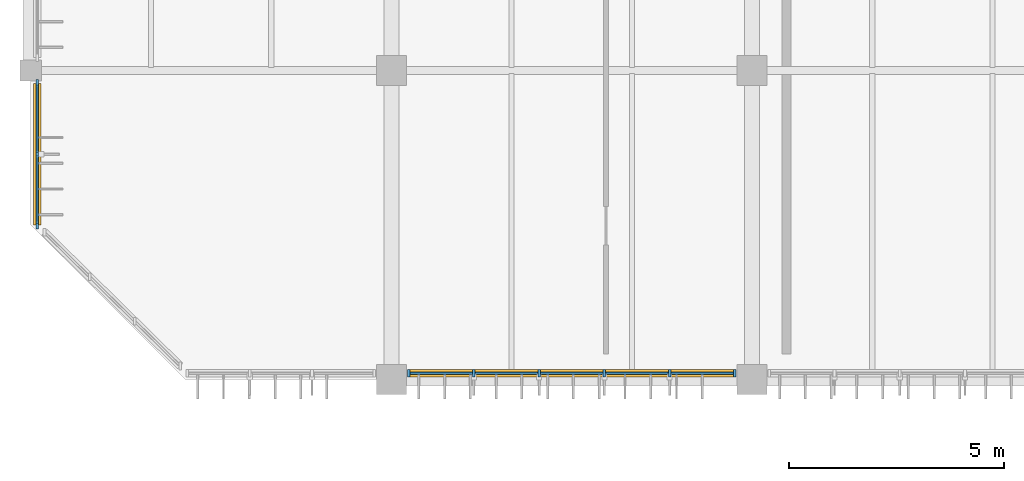
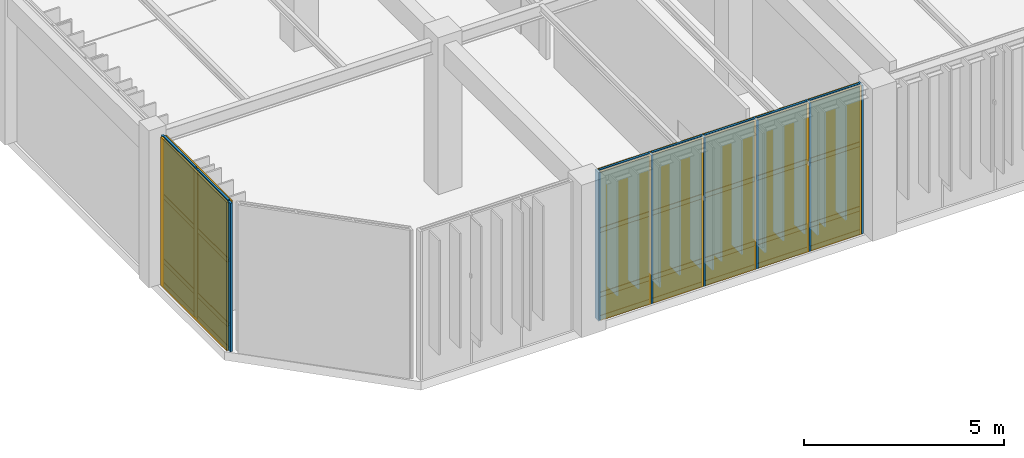
# One storey, part 62 of 122: 37 members, 21 plates, 2 curtain walls.
"""IFC4 building model written with IfcOpenShell, lengths in metres."""

from ifc_helpers import new_model, si_unit, direction, frame, frame_2d, origin, origin_2d, place, context, subcontext, project, spatial, rectangle, extrude, material, layer, layer_set, material_profile, profile_set, type_object, element, aggregate, save


model = new_model("IFC4")

# Units and contexts
model_context = context("Model", 3, precision=1e-05, world=origin(), true_north=direction((0.0, 1.0)))
body_context = subcontext(model_context, "Body", "Model", "MODEL_VIEW")
ifc_project = project(units=[si_unit("LENGTHUNIT", "METRE"), si_unit("AREAUNIT", "SQUARE_METRE"), si_unit("VOLUMEUNIT", "CUBIC_METRE"), si_unit("PLANEANGLEUNIT", "RADIAN"), si_unit("MASSUNIT", "GRAM", prefix="KILO")], contexts=[model_context])

# Member
ifc_material_1 = material(Name="Anodised Bronze Aluminium 6063-T6", Category="aluminium")
ifc_material_profile_1 = material_profile(ifc_material_1, rectangle(XDim=0.06005859375, YDim=0.179931640625, at=origin_2d()), Name="ALU MULLION 60x180")
ifc_profile_set_1 = profile_set([ifc_material_profile_1], Name="Anodised Bronze Aluminium 6063-T6")
member_type_1 = type_object("IfcMemberType", Name="Curtain-Wall Primary Mullion 60x180", PredefinedType="MULLION", material=ifc_profile_set_1)
site_placement = place(None, origin())
building_placement = place(site_placement, origin())
storey_placement = place(building_placement, origin())
member_1_placement = place(storey_placement, frame((11.199951171875, 37.550048828125, 0.0), z_axis=(0.0, 0.0, 1.0), x_axis=(1.0, 0.0, 0.0)))
member_1 = element("IfcMember", 1, at=member_1_placement, type_object=member_type_1, Name="Mullion CWM-01 CW-V6-S-L00-B2-M01", PredefinedType="MULLION", context=body_context, shape_type="SweptSolid", body=[
    extrude(rectangle(XDim=0.06005859375, YDim=0.179931640625, at=origin_2d()), origin(), (0.0, 0.0, 1.0), 4.5400390625),
])

member_2_placement = place(storey_placement, frame((12.719970703125, 37.550048828125, 0.0), z_axis=(0.0, 0.0, 1.0), x_axis=(1.0, 0.0, 0.0)))
member_2 = element("IfcMember", 2, at=member_2_placement, type_object=member_type_1, Name="Mullion CWM-01 CW-V6-S-L00-B2-M02", PredefinedType="MULLION", context=body_context, shape_type="SweptSolid", body=[
    extrude(rectangle(XDim=0.06005859375, YDim=0.179931640625, at=origin_2d()), origin(), (0.0, 0.0, 1.0), 4.5400390625),
])

member_3_placement = place(storey_placement, frame((14.239990234375, 37.550048828125, 0.0), z_axis=(0.0, 0.0, 1.0), x_axis=(1.0, 0.0, 0.0)))
member_3 = element("IfcMember", 3, at=member_3_placement, type_object=member_type_1, Name="Mullion CWM-01 CW-V6-S-L00-B2-M03", PredefinedType="MULLION", context=body_context, shape_type="SweptSolid", body=[
    extrude(rectangle(XDim=0.06005859375, YDim=0.179931640625, at=origin_2d()), origin(), (0.0, 0.0, 1.0), 4.5400390625),
])

member_4_placement = place(storey_placement, frame((15.760009765625, 37.550048828125, 0.0), z_axis=(0.0, 0.0, 1.0), x_axis=(1.0, 0.0, 0.0)))
member_4 = element("IfcMember", 4, at=member_4_placement, type_object=member_type_1, Name="Mullion CWM-01 CW-V6-S-L00-B2-M04", PredefinedType="MULLION", context=body_context, shape_type="SweptSolid", body=[
    extrude(rectangle(XDim=0.06005859375, YDim=0.179931640625, at=origin_2d()), origin(), (0.0, 0.0, 1.0), 4.5400390625),
])

member_5_placement = place(storey_placement, frame((17.280029296875, 37.550048828125, 0.0), z_axis=(0.0, 0.0, 1.0), x_axis=(1.0, 0.0, 0.0)))
member_5 = element("IfcMember", 5, at=member_5_placement, type_object=member_type_1, Name="Mullion CWM-01 CW-V6-S-L00-B2-M05", PredefinedType="MULLION", context=body_context, shape_type="SweptSolid", body=[
    extrude(rectangle(XDim=0.06005859375, YDim=0.179931640625, at=origin_2d()), origin(), (0.0, 0.0, 1.0), 4.5400390625),
])

member_6_placement = place(storey_placement, frame((18.800048828125, 37.550048828125, 0.0), z_axis=(0.0, 0.0, 1.0), x_axis=(1.0, 0.0, 0.0)))
member_6 = element("IfcMember", 6, at=member_6_placement, type_object=member_type_1, Name="Mullion CWM-01 CW-V6-S-L00-B2-M06", PredefinedType="MULLION", context=body_context, shape_type="SweptSolid", body=[
    extrude(rectangle(XDim=0.06005859375, YDim=0.179931640625, at=origin_2d()), origin(), (0.0, 0.0, 1.0), 4.5400390625),
])

member_7_placement = place(storey_placement, frame((2.550048828125, 41.0, 0.0), z_axis=(0.0, 0.0, 1.0), x_axis=(1.0, 0.0, 0.0)))
member_7 = element("IfcMember", 7, at=member_7_placement, type_object=member_type_1, Name="Mullion CWM-01 CW-V6-W1-L00-B1-M01", PredefinedType="MULLION", context=body_context, shape_type="SweptSolid", body=[
    extrude(rectangle(XDim=0.06005859375, YDim=0.179931640625, at=origin_2d()), origin(), (0.0, 0.0, 1.0), 4.5400390625),
])

member_8_placement = place(storey_placement, frame((2.550048828125, 42.64990234375, 0.0), z_axis=(0.0, 0.0, 1.0), x_axis=(1.0, 0.0, 0.0)))
member_8 = element("IfcMember", 8, at=member_8_placement, type_object=member_type_1, Name="Mullion CWM-01 CW-V6-W1-L00-B1-M02", PredefinedType="MULLION", context=body_context, shape_type="SweptSolid", body=[
    extrude(rectangle(XDim=0.06005859375, YDim=0.179931640625, at=origin_2d()), origin(), (0.0, 0.0, 1.0), 4.5400390625),
])

member_9_placement = place(storey_placement, frame((2.550048828125, 44.300048828125, 0.0), z_axis=(0.0, 0.0, 1.0), x_axis=(1.0, 0.0, 0.0)))
member_9 = element("IfcMember", 9, at=member_9_placement, type_object=member_type_1, Name="Mullion CWM-01 CW-V6-W1-L00-B1-M03", PredefinedType="MULLION", context=body_context, shape_type="SweptSolid", body=[
    extrude(rectangle(XDim=0.06005859375, YDim=0.179931640625, at=origin_2d()), origin(), (0.0, 0.0, 1.0), 4.5400390625),
])

ifc_material_profile_2 = material_profile(ifc_material_1, rectangle(XDim=0.06005859375, YDim=0.139892578125, at=origin_2d()), Name="ALU TRANSOM 60x140")
ifc_profile_set_2 = profile_set([ifc_material_profile_2], Name="Anodised Bronze Aluminium 6063-T6")
member_type_2 = type_object("IfcMemberType", Name="Curtain-Wall Transom 60x140", PredefinedType="USERDEFINED", material=ifc_profile_set_2)
member_10_placement = place(storey_placement, frame((11.235107421875, 37.550048828125, 0.0400390625), z_axis=(1.0, 0.0, 0.0), x_axis=(0.0, 1.0, 0.0)))
member_10 = element("IfcMember", 10, at=member_10_placement, type_object=member_type_2, Name="Transom CWT-01 CW-V6-S-L00-B2-T01.1", ObjectType="TRANSOM", PredefinedType="USERDEFINED", context=body_context, shape_type="SweptSolid", body=[
    extrude(rectangle(XDim=0.06005859375, YDim=0.139892578125, at=origin_2d()), origin(), (0.0, 0.0, 1.0), 1.449951171875),
])

member_11_placement = place(storey_placement, frame((11.235107421875, 37.550048828125, 0.75), z_axis=(1.0, 0.0, 0.0), x_axis=(0.0, 1.0, 0.0)))
member_11 = element("IfcMember", 11, at=member_11_placement, type_object=member_type_2, Name="Transom CWT-01 CW-V6-S-L00-B2-T01.2", ObjectType="TRANSOM", PredefinedType="USERDEFINED", context=body_context, shape_type="SweptSolid", body=[
    extrude(rectangle(XDim=0.06005859375, YDim=0.139892578125, at=origin_2d()), origin(), (0.0, 0.0, 1.0), 1.449951171875),
])

member_12_placement = place(storey_placement, frame((11.235107421875, 37.550048828125, 2.720703125), z_axis=(1.0, 0.0, 0.0), x_axis=(0.0, 1.0, 0.0)))
member_12 = element("IfcMember", 12, at=member_12_placement, type_object=member_type_2, Name="Transom CWT-01 CW-V6-S-L00-B2-T01.3", ObjectType="TRANSOM", PredefinedType="USERDEFINED", context=body_context, shape_type="SweptSolid", body=[
    extrude(rectangle(XDim=0.06005859375, YDim=0.139892578125, at=origin_2d()), origin(), (0.0, 0.0, 1.0), 1.449951171875),
])

member_13_placement = place(storey_placement, frame((11.235107421875, 37.550048828125, 4.5), z_axis=(1.0, 0.0, 0.0), x_axis=(0.0, 1.0, 0.0)))
member_13 = element("IfcMember", 13, at=member_13_placement, type_object=member_type_2, Name="Transom CWT-01 CW-V6-S-L00-B2-T01.4", ObjectType="TRANSOM", PredefinedType="USERDEFINED", context=body_context, shape_type="SweptSolid", body=[
    extrude(rectangle(XDim=0.06005859375, YDim=0.139892578125, at=origin_2d()), origin(), (0.0, 0.0, 1.0), 1.449951171875),
])

member_14_placement = place(storey_placement, frame((12.7548828125, 37.550048828125, 0.0400390625), z_axis=(1.0, 0.0, 0.0), x_axis=(0.0, 1.0, 0.0)))
member_14 = element("IfcMember", 14, at=member_14_placement, type_object=member_type_2, Name="Transom CWT-01 CW-V6-S-L00-B2-T02.1", ObjectType="TRANSOM", PredefinedType="USERDEFINED", context=body_context, shape_type="SweptSolid", body=[
    extrude(rectangle(XDim=0.06005859375, YDim=0.139892578125, at=origin_2d()), origin(), (0.0, 0.0, 1.0), 1.4501953125),
])

member_15_placement = place(storey_placement, frame((12.7548828125, 37.550048828125, 0.75), z_axis=(1.0, 0.0, 0.0), x_axis=(0.0, 1.0, 0.0)))
member_15 = element("IfcMember", 15, at=member_15_placement, type_object=member_type_2, Name="Transom CWT-01 CW-V6-S-L00-B2-T02.2", ObjectType="TRANSOM", PredefinedType="USERDEFINED", context=body_context, shape_type="SweptSolid", body=[
    extrude(rectangle(XDim=0.06005859375, YDim=0.139892578125, at=origin_2d()), origin(), (0.0, 0.0, 1.0), 1.4501953125),
])

member_16_placement = place(storey_placement, frame((12.7548828125, 37.550048828125, 2.720703125), z_axis=(1.0, 0.0, 0.0), x_axis=(0.0, 1.0, 0.0)))
member_16 = element("IfcMember", 16, at=member_16_placement, type_object=member_type_2, Name="Transom CWT-01 CW-V6-S-L00-B2-T02.3", ObjectType="TRANSOM", PredefinedType="USERDEFINED", context=body_context, shape_type="SweptSolid", body=[
    extrude(rectangle(XDim=0.06005859375, YDim=0.139892578125, at=origin_2d()), origin(), (0.0, 0.0, 1.0), 1.4501953125),
])

member_17_placement = place(storey_placement, frame((12.7548828125, 37.550048828125, 4.5), z_axis=(1.0, 0.0, 0.0), x_axis=(0.0, 1.0, 0.0)))
member_17 = element("IfcMember", 17, at=member_17_placement, type_object=member_type_2, Name="Transom CWT-01 CW-V6-S-L00-B2-T02.4", ObjectType="TRANSOM", PredefinedType="USERDEFINED", context=body_context, shape_type="SweptSolid", body=[
    extrude(rectangle(XDim=0.06005859375, YDim=0.139892578125, at=origin_2d()), origin(), (0.0, 0.0, 1.0), 1.4501953125),
])

member_18_placement = place(storey_placement, frame((14.27490234375, 37.550048828125, 0.0400390625), z_axis=(1.0, 0.0, 0.0), x_axis=(0.0, 1.0, 0.0)))
member_18 = element("IfcMember", 18, at=member_18_placement, type_object=member_type_2, Name="Transom CWT-01 CW-V6-S-L00-B2-T03.1", ObjectType="TRANSOM", PredefinedType="USERDEFINED", context=body_context, shape_type="SweptSolid", body=[
    extrude(rectangle(XDim=0.06005859375, YDim=0.139892578125, at=origin_2d()), origin(), (0.0, 0.0, 1.0), 1.4501953125),
])

member_19_placement = place(storey_placement, frame((14.27490234375, 37.550048828125, 0.75), z_axis=(1.0, 0.0, 0.0), x_axis=(0.0, 1.0, 0.0)))
member_19 = element("IfcMember", 19, at=member_19_placement, type_object=member_type_2, Name="Transom CWT-01 CW-V6-S-L00-B2-T03.2", ObjectType="TRANSOM", PredefinedType="USERDEFINED", context=body_context, shape_type="SweptSolid", body=[
    extrude(rectangle(XDim=0.06005859375, YDim=0.139892578125, at=origin_2d()), origin(), (0.0, 0.0, 1.0), 1.4501953125),
])

member_20_placement = place(storey_placement, frame((14.27490234375, 37.550048828125, 2.720703125), z_axis=(1.0, 0.0, 0.0), x_axis=(0.0, 1.0, 0.0)))
member_20 = element("IfcMember", 20, at=member_20_placement, type_object=member_type_2, Name="Transom CWT-01 CW-V6-S-L00-B2-T03.3", ObjectType="TRANSOM", PredefinedType="USERDEFINED", context=body_context, shape_type="SweptSolid", body=[
    extrude(rectangle(XDim=0.06005859375, YDim=0.139892578125, at=origin_2d()), origin(), (0.0, 0.0, 1.0), 1.4501953125),
])

member_21_placement = place(storey_placement, frame((14.27490234375, 37.550048828125, 4.5), z_axis=(1.0, 0.0, 0.0), x_axis=(0.0, 1.0, 0.0)))
member_21 = element("IfcMember", 21, at=member_21_placement, type_object=member_type_2, Name="Transom CWT-01 CW-V6-S-L00-B2-T03.4", ObjectType="TRANSOM", PredefinedType="USERDEFINED", context=body_context, shape_type="SweptSolid", body=[
    extrude(rectangle(XDim=0.06005859375, YDim=0.139892578125, at=origin_2d()), origin(), (0.0, 0.0, 1.0), 1.4501953125),
])

member_22_placement = place(storey_placement, frame((15.794921875, 37.550048828125, 0.0400390625), z_axis=(1.0, 0.0, 0.0), x_axis=(0.0, 1.0, 0.0)))
member_22 = element("IfcMember", 22, at=member_22_placement, type_object=member_type_2, Name="Transom CWT-01 CW-V6-S-L00-B2-T04.1", ObjectType="TRANSOM", PredefinedType="USERDEFINED", context=body_context, shape_type="SweptSolid", body=[
    extrude(rectangle(XDim=0.06005859375, YDim=0.139892578125, at=origin_2d()), origin(), (0.0, 0.0, 1.0), 1.4501953125),
])

member_23_placement = place(storey_placement, frame((15.794921875, 37.550048828125, 0.75), z_axis=(1.0, 0.0, 0.0), x_axis=(0.0, 1.0, 0.0)))
member_23 = element("IfcMember", 23, at=member_23_placement, type_object=member_type_2, Name="Transom CWT-01 CW-V6-S-L00-B2-T04.2", ObjectType="TRANSOM", PredefinedType="USERDEFINED", context=body_context, shape_type="SweptSolid", body=[
    extrude(rectangle(XDim=0.06005859375, YDim=0.139892578125, at=origin_2d()), origin(), (0.0, 0.0, 1.0), 1.4501953125),
])

member_24_placement = place(storey_placement, frame((15.794921875, 37.550048828125, 2.720703125), z_axis=(1.0, 0.0, 0.0), x_axis=(0.0, 1.0, 0.0)))
member_24 = element("IfcMember", 24, at=member_24_placement, type_object=member_type_2, Name="Transom CWT-01 CW-V6-S-L00-B2-T04.3", ObjectType="TRANSOM", PredefinedType="USERDEFINED", context=body_context, shape_type="SweptSolid", body=[
    extrude(rectangle(XDim=0.06005859375, YDim=0.139892578125, at=origin_2d()), origin(), (0.0, 0.0, 1.0), 1.4501953125),
])

member_25_placement = place(storey_placement, frame((15.794921875, 37.550048828125, 4.5), z_axis=(1.0, 0.0, 0.0), x_axis=(0.0, 1.0, 0.0)))
member_25 = element("IfcMember", 25, at=member_25_placement, type_object=member_type_2, Name="Transom CWT-01 CW-V6-S-L00-B2-T04.4", ObjectType="TRANSOM", PredefinedType="USERDEFINED", context=body_context, shape_type="SweptSolid", body=[
    extrude(rectangle(XDim=0.06005859375, YDim=0.139892578125, at=origin_2d()), origin(), (0.0, 0.0, 1.0), 1.4501953125),
])

member_26_placement = place(storey_placement, frame((17.31494140625, 37.550048828125, 0.0400390625), z_axis=(1.0, 0.0, 0.0), x_axis=(0.0, 1.0, 0.0)))
member_26 = element("IfcMember", 26, at=member_26_placement, type_object=member_type_2, Name="Transom CWT-01 CW-V6-S-L00-B2-T05.1", ObjectType="TRANSOM", PredefinedType="USERDEFINED", context=body_context, shape_type="SweptSolid", body=[
    extrude(rectangle(XDim=0.06005859375, YDim=0.139892578125, at=origin_2d()), origin(), (0.0, 0.0, 1.0), 1.449951171875),
])

member_27_placement = place(storey_placement, frame((17.31494140625, 37.550048828125, 0.75), z_axis=(1.0, 0.0, 0.0), x_axis=(0.0, 1.0, 0.0)))
member_27 = element("IfcMember", 27, at=member_27_placement, type_object=member_type_2, Name="Transom CWT-01 CW-V6-S-L00-B2-T05.2", ObjectType="TRANSOM", PredefinedType="USERDEFINED", context=body_context, shape_type="SweptSolid", body=[
    extrude(rectangle(XDim=0.06005859375, YDim=0.139892578125, at=origin_2d()), origin(), (0.0, 0.0, 1.0), 1.449951171875),
])

member_28_placement = place(storey_placement, frame((17.31494140625, 37.550048828125, 2.720703125), z_axis=(1.0, 0.0, 0.0), x_axis=(0.0, 1.0, 0.0)))
member_28 = element("IfcMember", 28, at=member_28_placement, type_object=member_type_2, Name="Transom CWT-01 CW-V6-S-L00-B2-T05.3", ObjectType="TRANSOM", PredefinedType="USERDEFINED", context=body_context, shape_type="SweptSolid", body=[
    extrude(rectangle(XDim=0.06005859375, YDim=0.139892578125, at=origin_2d()), origin(), (0.0, 0.0, 1.0), 1.449951171875),
])

member_29_placement = place(storey_placement, frame((17.31494140625, 37.550048828125, 4.5), z_axis=(1.0, 0.0, 0.0), x_axis=(0.0, 1.0, 0.0)))
member_29 = element("IfcMember", 29, at=member_29_placement, type_object=member_type_2, Name="Transom CWT-01 CW-V6-S-L00-B2-T05.4", ObjectType="TRANSOM", PredefinedType="USERDEFINED", context=body_context, shape_type="SweptSolid", body=[
    extrude(rectangle(XDim=0.06005859375, YDim=0.139892578125, at=origin_2d()), origin(), (0.0, 0.0, 1.0), 1.449951171875),
])

member_30_placement = place(storey_placement, frame((2.550048828125, 41.034912109375, 0.0400390625), z_axis=(0.0, 1.0, 0.0), x_axis=(-1.0, 0.0, 0.0)))
member_30 = element("IfcMember", 30, at=member_30_placement, type_object=member_type_2, Name="Transom CWT-01 CW-V6-W1-L00-B1-T01.1", ObjectType="TRANSOM", PredefinedType="USERDEFINED", context=body_context, shape_type="SweptSolid", body=[
    extrude(rectangle(XDim=0.06005859375, YDim=0.139892578125, at=origin_2d()), origin(), (0.0, 0.0, 1.0), 1.580078125),
])

member_31_placement = place(storey_placement, frame((2.550048828125, 41.034912109375, 0.75), z_axis=(0.0, 1.0, 0.0), x_axis=(-1.0, 0.0, 0.0)))
member_31 = element("IfcMember", 31, at=member_31_placement, type_object=member_type_2, Name="Transom CWT-01 CW-V6-W1-L00-B1-T01.2", ObjectType="TRANSOM", PredefinedType="USERDEFINED", context=body_context, shape_type="SweptSolid", body=[
    extrude(rectangle(XDim=0.06005859375, YDim=0.139892578125, at=origin_2d()), origin(), (0.0, 0.0, 1.0), 1.580078125),
])

member_32_placement = place(storey_placement, frame((2.550048828125, 41.034912109375, 2.720703125), z_axis=(0.0, 1.0, 0.0), x_axis=(-1.0, 0.0, 0.0)))
member_32 = element("IfcMember", 32, at=member_32_placement, type_object=member_type_2, Name="Transom CWT-01 CW-V6-W1-L00-B1-T01.3", ObjectType="TRANSOM", PredefinedType="USERDEFINED", context=body_context, shape_type="SweptSolid", body=[
    extrude(rectangle(XDim=0.06005859375, YDim=0.139892578125, at=origin_2d()), origin(), (0.0, 0.0, 1.0), 1.580078125),
])

member_33_placement = place(storey_placement, frame((2.550048828125, 41.034912109375, 4.5), z_axis=(0.0, 1.0, 0.0), x_axis=(-1.0, 0.0, 0.0)))
member_33 = element("IfcMember", 33, at=member_33_placement, type_object=member_type_2, Name="Transom CWT-01 CW-V6-W1-L00-B1-T01.4", ObjectType="TRANSOM", PredefinedType="USERDEFINED", context=body_context, shape_type="SweptSolid", body=[
    extrude(rectangle(XDim=0.06005859375, YDim=0.139892578125, at=origin_2d()), origin(), (0.0, 0.0, 1.0), 1.580078125),
])

member_34_placement = place(storey_placement, frame((2.550048828125, 42.68505859375, 0.0400390625), z_axis=(0.0, 1.0, 0.0), x_axis=(-1.0, 0.0, 0.0)))
member_34 = element("IfcMember", 34, at=member_34_placement, type_object=member_type_2, Name="Transom CWT-01 CW-V6-W1-L00-B1-T02.1", ObjectType="TRANSOM", PredefinedType="USERDEFINED", context=body_context, shape_type="SweptSolid", body=[
    extrude(rectangle(XDim=0.06005859375, YDim=0.139892578125, at=origin_2d()), origin(), (0.0, 0.0, 1.0), 1.579833984375),
])

member_35_placement = place(storey_placement, frame((2.550048828125, 42.68505859375, 0.75), z_axis=(0.0, 1.0, 0.0), x_axis=(-1.0, 0.0, 0.0)))
member_35 = element("IfcMember", 35, at=member_35_placement, type_object=member_type_2, Name="Transom CWT-01 CW-V6-W1-L00-B1-T02.2", ObjectType="TRANSOM", PredefinedType="USERDEFINED", context=body_context, shape_type="SweptSolid", body=[
    extrude(rectangle(XDim=0.06005859375, YDim=0.139892578125, at=origin_2d()), origin(), (0.0, 0.0, 1.0), 1.579833984375),
])

member_36_placement = place(storey_placement, frame((2.550048828125, 42.68505859375, 2.720703125), z_axis=(0.0, 1.0, 0.0), x_axis=(-1.0, 0.0, 0.0)))
member_36 = element("IfcMember", 36, at=member_36_placement, type_object=member_type_2, Name="Transom CWT-01 CW-V6-W1-L00-B1-T02.3", ObjectType="TRANSOM", PredefinedType="USERDEFINED", context=body_context, shape_type="SweptSolid", body=[
    extrude(rectangle(XDim=0.06005859375, YDim=0.139892578125, at=origin_2d()), origin(), (0.0, 0.0, 1.0), 1.579833984375),
])

member_37_placement = place(storey_placement, frame((2.550048828125, 42.68505859375, 4.5), z_axis=(0.0, 1.0, 0.0), x_axis=(-1.0, 0.0, 0.0)))
member_37 = element("IfcMember", 37, at=member_37_placement, type_object=member_type_2, Name="Transom CWT-01 CW-V6-W1-L00-B1-T02.4", ObjectType="TRANSOM", PredefinedType="USERDEFINED", context=body_context, shape_type="SweptSolid", body=[
    extrude(rectangle(XDim=0.06005859375, YDim=0.139892578125, at=origin_2d()), origin(), (0.0, 0.0, 1.0), 1.579833984375),
])

# Plate
ifc_material_2 = material(Name="Insulated Bronze Aluminium Spandrel Panel", Category="aluminium")
ifc_layer_1 = layer(ifc_material_2, 0.050048828125, Name="Insulated Bronze Aluminium Spandrel Panel")
ifc_layer_set_1 = layer_set([ifc_layer_1], Name="Insulated Bronze Aluminium Spandrel Panel")
plate_type_1 = type_object("IfcPlateType", Name="Insulated Anodised Aluminium Spandrel Cassette 50", PredefinedType="CURTAIN_PANEL", material=ifc_layer_set_1)
plate_1_placement = place(storey_placement, frame((11.9599609375, 37.550048828125, 0.070068359375), z_axis=(0.0, 0.0, 1.0), x_axis=(1.0, 0.0, 0.0)))
plate_1 = element("IfcPlate", 38, at=plate_1_placement, type_object=plate_type_1, Name="Curtain Panel CWP-03 CW-V6-S-L00-B2-P01.1", PredefinedType="CURTAIN_PANEL", context=body_context, shape_type="SweptSolid", body=[
    extrude(rectangle(XDim=1.449951171875, YDim=0.050048828125, at=origin_2d()), origin(), (0.0, 0.0, 1.0), 0.64990234375),
])

plate_2_placement = place(storey_placement, frame((13.47998046875, 37.550048828125, 0.070068359375), z_axis=(0.0, 0.0, 1.0), x_axis=(1.0, 0.0, 0.0)))
plate_2 = element("IfcPlate", 39, at=plate_2_placement, type_object=plate_type_1, Name="Curtain Panel CWP-03 CW-V6-S-L00-B2-P02.1", PredefinedType="CURTAIN_PANEL", context=body_context, shape_type="SweptSolid", body=[
    extrude(rectangle(XDim=1.449951171875, YDim=0.050048828125, at=origin_2d()), origin(), (0.0, 0.0, 1.0), 0.64990234375),
])

plate_3_placement = place(storey_placement, frame((15.0, 37.550048828125, 0.070068359375), z_axis=(0.0, 0.0, 1.0), x_axis=(1.0, 0.0, 0.0)))
plate_3 = element("IfcPlate", 40, at=plate_3_placement, type_object=plate_type_1, Name="Curtain Panel CWP-03 CW-V6-S-L00-B2-P03.1", PredefinedType="CURTAIN_PANEL", context=body_context, shape_type="SweptSolid", body=[
    extrude(rectangle(XDim=1.449951171875, YDim=0.050048828125, at=origin_2d()), origin(), (0.0, 0.0, 1.0), 0.64990234375),
])

plate_4_placement = place(storey_placement, frame((16.52001953125, 37.550048828125, 0.070068359375), z_axis=(0.0, 0.0, 1.0), x_axis=(1.0, 0.0, 0.0)))
plate_4 = element("IfcPlate", 41, at=plate_4_placement, type_object=plate_type_1, Name="Curtain Panel CWP-03 CW-V6-S-L00-B2-P04.1", PredefinedType="CURTAIN_PANEL", context=body_context, shape_type="SweptSolid", body=[
    extrude(rectangle(XDim=1.449951171875, YDim=0.050048828125, at=origin_2d()), origin(), (0.0, 0.0, 1.0), 0.64990234375),
])

plate_5_placement = place(storey_placement, frame((18.0400390625, 37.550048828125, 0.070068359375), z_axis=(0.0, 0.0, 1.0), x_axis=(1.0, 0.0, 0.0)))
plate_5 = element("IfcPlate", 42, at=plate_5_placement, type_object=plate_type_1, Name="Curtain Panel CWP-03 CW-V6-S-L00-B2-P05.1", PredefinedType="CURTAIN_PANEL", context=body_context, shape_type="SweptSolid", body=[
    extrude(rectangle(XDim=1.449951171875, YDim=0.050048828125, at=origin_2d()), origin(), (0.0, 0.0, 1.0), 0.64990234375),
])

plate_6_placement = place(storey_placement, frame((2.550048828125, 41.824951171875, 0.070068359375), z_axis=(0.0, 0.0, 1.0), x_axis=(0.0, 1.0, 0.0)))
plate_6 = element("IfcPlate", 43, at=plate_6_placement, type_object=plate_type_1, Name="Curtain Panel CWP-03 CW-V6-W1-L00-B1-P01.1", PredefinedType="CURTAIN_PANEL", context=body_context, shape_type="SweptSolid", body=[
    extrude(rectangle(XDim=1.580078125, YDim=0.050048828125, at=origin_2d()), origin(), (0.0, 0.0, 1.0), 0.64990234375),
])

plate_7_placement = place(storey_placement, frame((2.550048828125, 43.47509765625, 0.070068359375), z_axis=(0.0, 0.0, 1.0), x_axis=(0.0, 1.0, 0.0)))
plate_7 = element("IfcPlate", 44, at=plate_7_placement, type_object=plate_type_1, Name="Curtain Panel CWP-03 CW-V6-W1-L00-B1-P02.1", PredefinedType="CURTAIN_PANEL", context=body_context, shape_type="SweptSolid", body=[
    extrude(rectangle(XDim=1.580078125, YDim=0.050048828125, at=origin_2d()), origin(), (0.0, 0.0, 1.0), 0.64990234375),
])

ifc_material_3 = material(Name="Solar-Control Tempered Double Glazing", Category="glass")
ifc_layer_2 = layer(ifc_material_3, 0.0380859375, Name="Solar-Control Tempered Double Glazing")
ifc_layer_set_2 = layer_set([ifc_layer_2], Name="Solar-Control Tempered Double Glazing")
plate_type_2 = type_object("IfcPlateType", Name="Solar-Control Vision Glazing Unit 38", PredefinedType="CURTAIN_PANEL", material=ifc_layer_set_2)
plate_8_placement = place(storey_placement, frame((11.9599609375, 37.550048828125, 0.77978515625), z_axis=(0.0, 0.0, 1.0), x_axis=(1.0, 0.0, 0.0)))
plate_8 = element("IfcPlate", 45, at=plate_8_placement, type_object=plate_type_2, Name="Curtain Panel CWP-02 CW-V6-S-L00-B2-P01.2", PredefinedType="CURTAIN_PANEL", context=body_context, shape_type="SweptSolid", body=[
    extrude(rectangle(XDim=1.449951171875, YDim=0.0380859375, at=origin_2d()), origin(), (0.0, 0.0, 1.0), 1.910888671875),
])

plate_9_placement = place(storey_placement, frame((11.9599609375, 37.550048828125, 2.750732421875), z_axis=(0.0, 0.0, 1.0), x_axis=(1.0, 0.0, 0.0)))
plate_9 = element("IfcPlate", 46, at=plate_9_placement, type_object=plate_type_2, Name="Curtain Panel CWP-02 CW-V6-S-L00-B2-P01.3", PredefinedType="CURTAIN_PANEL", context=body_context, shape_type="SweptSolid", body=[
    extrude(rectangle(XDim=1.449951171875, YDim=0.0380859375, at=origin_2d()), origin(), (0.0, 0.0, 1.0), 1.71923828125),
])

plate_10_placement = place(storey_placement, frame((13.47998046875, 37.550048828125, 0.77978515625), z_axis=(0.0, 0.0, 1.0), x_axis=(1.0, 0.0, 0.0)))
plate_10 = element("IfcPlate", 47, at=plate_10_placement, type_object=plate_type_2, Name="Curtain Panel CWP-02 CW-V6-S-L00-B2-P02.2", PredefinedType="CURTAIN_PANEL", context=body_context, shape_type="SweptSolid", body=[
    extrude(rectangle(XDim=1.449951171875, YDim=0.0380859375, at=origin_2d()), origin(), (0.0, 0.0, 1.0), 1.910888671875),
])

plate_11_placement = place(storey_placement, frame((13.47998046875, 37.550048828125, 2.750732421875), z_axis=(0.0, 0.0, 1.0), x_axis=(1.0, 0.0, 0.0)))
plate_11 = element("IfcPlate", 48, at=plate_11_placement, type_object=plate_type_2, Name="Curtain Panel CWP-02 CW-V6-S-L00-B2-P02.3", PredefinedType="CURTAIN_PANEL", context=body_context, shape_type="SweptSolid", body=[
    extrude(rectangle(XDim=1.449951171875, YDim=0.0380859375, at=origin_2d()), origin(), (0.0, 0.0, 1.0), 1.71923828125),
])

plate_12_placement = place(storey_placement, frame((15.0, 37.550048828125, 0.77978515625), z_axis=(0.0, 0.0, 1.0), x_axis=(1.0, 0.0, 0.0)))
plate_12 = element("IfcPlate", 49, at=plate_12_placement, type_object=plate_type_2, Name="Curtain Panel CWP-02 CW-V6-S-L00-B2-P03.2", PredefinedType="CURTAIN_PANEL", context=body_context, shape_type="SweptSolid", body=[
    extrude(rectangle(XDim=1.449951171875, YDim=0.0380859375, at=origin_2d()), origin(), (0.0, 0.0, 1.0), 1.910888671875),
])

plate_13_placement = place(storey_placement, frame((15.0, 37.550048828125, 2.750732421875), z_axis=(0.0, 0.0, 1.0), x_axis=(1.0, 0.0, 0.0)))
plate_13 = element("IfcPlate", 50, at=plate_13_placement, type_object=plate_type_2, Name="Curtain Panel CWP-02 CW-V6-S-L00-B2-P03.3", PredefinedType="CURTAIN_PANEL", context=body_context, shape_type="SweptSolid", body=[
    extrude(rectangle(XDim=1.449951171875, YDim=0.0380859375, at=origin_2d()), origin(), (0.0, 0.0, 1.0), 1.71923828125),
])

plate_14_placement = place(storey_placement, frame((16.52001953125, 37.550048828125, 0.77978515625), z_axis=(0.0, 0.0, 1.0), x_axis=(1.0, 0.0, 0.0)))
plate_14 = element("IfcPlate", 51, at=plate_14_placement, type_object=plate_type_2, Name="Curtain Panel CWP-02 CW-V6-S-L00-B2-P04.2", PredefinedType="CURTAIN_PANEL", context=body_context, shape_type="SweptSolid", body=[
    extrude(rectangle(XDim=1.449951171875, YDim=0.0380859375, at=origin_2d()), origin(), (0.0, 0.0, 1.0), 1.910888671875),
])

plate_15_placement = place(storey_placement, frame((16.52001953125, 37.550048828125, 2.750732421875), z_axis=(0.0, 0.0, 1.0), x_axis=(1.0, 0.0, 0.0)))
plate_15 = element("IfcPlate", 52, at=plate_15_placement, type_object=plate_type_2, Name="Curtain Panel CWP-02 CW-V6-S-L00-B2-P04.3", PredefinedType="CURTAIN_PANEL", context=body_context, shape_type="SweptSolid", body=[
    extrude(rectangle(XDim=1.449951171875, YDim=0.0380859375, at=origin_2d()), origin(), (0.0, 0.0, 1.0), 1.71923828125),
])

plate_16_placement = place(storey_placement, frame((18.0400390625, 37.550048828125, 0.77978515625), z_axis=(0.0, 0.0, 1.0), x_axis=(1.0, 0.0, 0.0)))
plate_16 = element("IfcPlate", 53, at=plate_16_placement, type_object=plate_type_2, Name="Curtain Panel CWP-02 CW-V6-S-L00-B2-P05.2", PredefinedType="CURTAIN_PANEL", context=body_context, shape_type="SweptSolid", body=[
    extrude(rectangle(XDim=1.449951171875, YDim=0.0380859375, at=origin_2d()), origin(), (0.0, 0.0, 1.0), 1.910888671875),
])

plate_17_placement = place(storey_placement, frame((18.0400390625, 37.550048828125, 2.750732421875), z_axis=(0.0, 0.0, 1.0), x_axis=(1.0, 0.0, 0.0)))
plate_17 = element("IfcPlate", 54, at=plate_17_placement, type_object=plate_type_2, Name="Curtain Panel CWP-02 CW-V6-S-L00-B2-P05.3", PredefinedType="CURTAIN_PANEL", context=body_context, shape_type="SweptSolid", body=[
    extrude(rectangle(XDim=1.449951171875, YDim=0.0380859375, at=origin_2d()), origin(), (0.0, 0.0, 1.0), 1.71923828125),
])

plate_18_placement = place(storey_placement, frame((2.550048828125, 41.824951171875, 0.77978515625), z_axis=(0.0, 0.0, 1.0), x_axis=(0.0, 1.0, 0.0)))
plate_18 = element("IfcPlate", 55, at=plate_18_placement, type_object=plate_type_2, Name="Curtain Panel CWP-02 CW-V6-W1-L00-B1-P01.2", PredefinedType="CURTAIN_PANEL", context=body_context, shape_type="SweptSolid", body=[
    extrude(rectangle(XDim=1.580078125, YDim=0.0380859375, at=origin_2d()), origin(), (0.0, 0.0, 1.0), 1.910888671875),
])

plate_19_placement = place(storey_placement, frame((2.550048828125, 41.824951171875, 2.750732421875), z_axis=(0.0, 0.0, 1.0), x_axis=(0.0, 1.0, 0.0)))
plate_19 = element("IfcPlate", 56, at=plate_19_placement, type_object=plate_type_2, Name="Curtain Panel CWP-02 CW-V6-W1-L00-B1-P01.3", PredefinedType="CURTAIN_PANEL", context=body_context, shape_type="SweptSolid", body=[
    extrude(rectangle(XDim=1.580078125, YDim=0.0380859375, at=origin_2d()), origin(), (0.0, 0.0, 1.0), 1.71923828125),
])

plate_20_placement = place(storey_placement, frame((2.550048828125, 43.47509765625, 0.77978515625), z_axis=(0.0, 0.0, 1.0), x_axis=(0.0, 1.0, 0.0)))
plate_20 = element("IfcPlate", 57, at=plate_20_placement, type_object=plate_type_2, Name="Curtain Panel CWP-02 CW-V6-W1-L00-B1-P02.2", PredefinedType="CURTAIN_PANEL", context=body_context, shape_type="SweptSolid", body=[
    extrude(rectangle(XDim=1.580078125, YDim=0.0380859375, at=origin_2d()), origin(), (0.0, 0.0, 1.0), 1.910888671875),
])

plate_21_placement = place(storey_placement, frame((2.550048828125, 43.47509765625, 2.750732421875), z_axis=(0.0, 0.0, 1.0), x_axis=(0.0, 1.0, 0.0)))
plate_21 = element("IfcPlate", 58, at=plate_21_placement, type_object=plate_type_2, Name="Curtain Panel CWP-02 CW-V6-W1-L00-B1-P02.3", PredefinedType="CURTAIN_PANEL", context=body_context, shape_type="SweptSolid", body=[
    extrude(rectangle(XDim=1.580078125, YDim=0.0380859375, at=origin_2d()), origin(), (0.0, 0.0, 1.0), 1.71923828125),
])

# Site, building, storey
site = spatial("IfcSite", under=ifc_project, at=site_placement, CompositionType="ELEMENT")
building = spatial("IfcBuilding", under=site, at=building_placement, Name="Tazoul Stagehouse", CompositionType="ELEMENT")
storey = spatial("IfcBuildingStorey", under=building, at=storey_placement, Name="L00", CompositionType="ELEMENT", Elevation=0.0)

# Curtain wall
curtain_wall_type = type_object("IfcCurtainWallType", Name="Foyer Clear Solar-Control Curtain Wall", PredefinedType="NOTDEFINED", material=ifc_material_1)
curtain_wall_1_placement = place(storey_placement, frame((11.199951171875, 37.550048828125, 0.0), z_axis=(0.0, 0.0, 1.0), x_axis=(1.0, 0.0, 0.0)))
curtain_wall_1 = element("IfcCurtainWall", 59, at=curtain_wall_1_placement, inside=storey, type_object=curtain_wall_type, Name="L00 Curtain Wall CW-02 (CW-V6-S-L00-B2)", PredefinedType="NOTDEFINED", context=body_context, shape_type="SweptSolid", body=[
    extrude(rectangle(XDim=7.60009765625, YDim=0.179931640625, at=frame_2d((3.800048828125, 0.0))), origin(), (0.0, 0.0, 1.0), 4.5400390625),
])

aggregate(curtain_wall_1, [member_1, member_2, member_3, member_4, member_5, member_6, member_10, member_11, member_12, member_13, plate_1, plate_8, plate_9, member_14, member_15, member_16, member_17, plate_2, plate_10, plate_11, member_18, member_19, member_20, member_21, plate_3, plate_12, plate_13, member_22, member_23, member_24, member_25, plate_4, plate_14, plate_15, member_26, member_27, member_28, member_29, plate_5, plate_16, plate_17])

curtain_wall_2_placement = place(storey_placement, frame((2.550048828125, 41.0, 0.0), z_axis=(0.0, 0.0, 1.0), x_axis=(0.0, 1.0, 0.0)))
curtain_wall_2 = element("IfcCurtainWall", 60, at=curtain_wall_2_placement, inside=storey, type_object=curtain_wall_type, Name="L00 Curtain Wall CW-02 (CW-V6-W1-L00-B1)", PredefinedType="NOTDEFINED", context=body_context, shape_type="SweptSolid", body=[
    extrude(rectangle(XDim=3.300048828125, YDim=0.179931640625, at=frame_2d((1.64990234375, 0.0))), origin(), (0.0, 0.0, 1.0), 4.5400390625),
])

aggregate(curtain_wall_2, [member_7, member_8, member_9, member_30, member_31, member_32, member_33, plate_6, plate_18, plate_19, member_34, member_35, member_36, member_37, plate_7, plate_20, plate_21])

save(model, "model.ifc")
